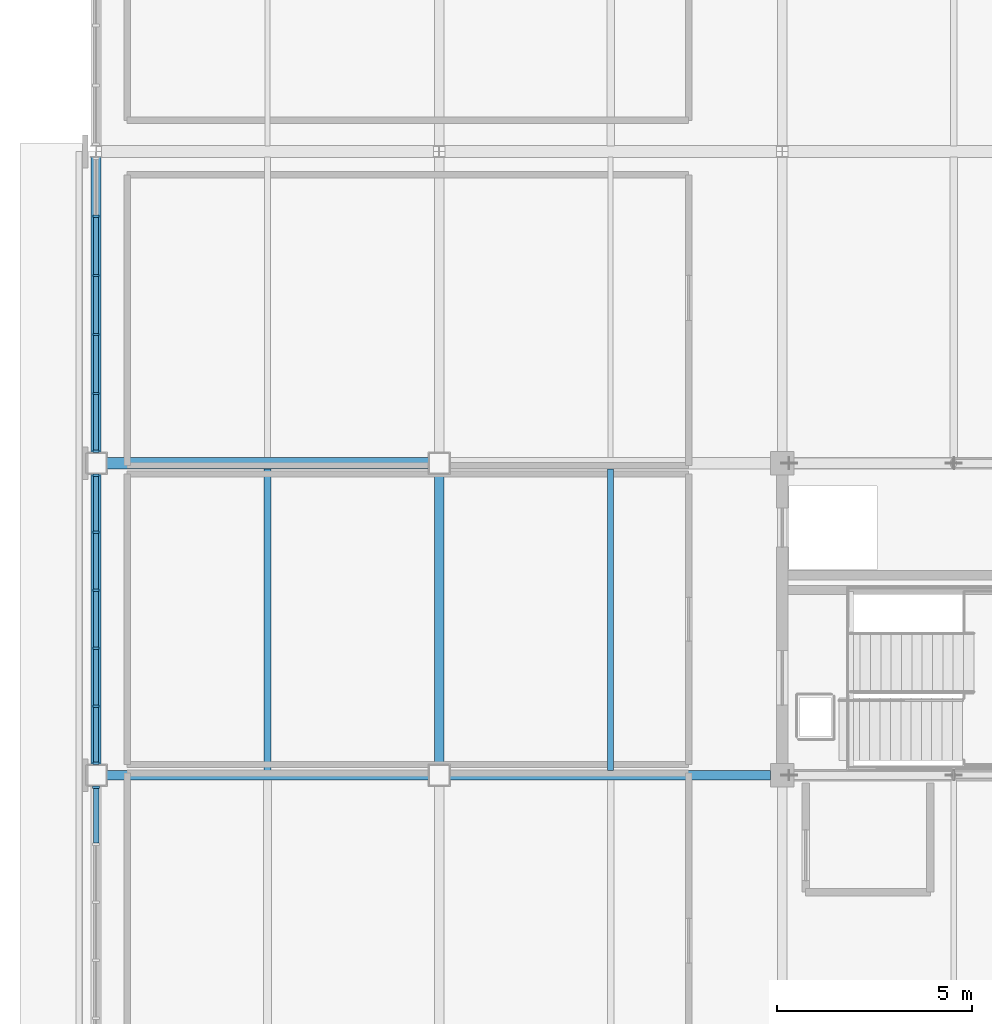
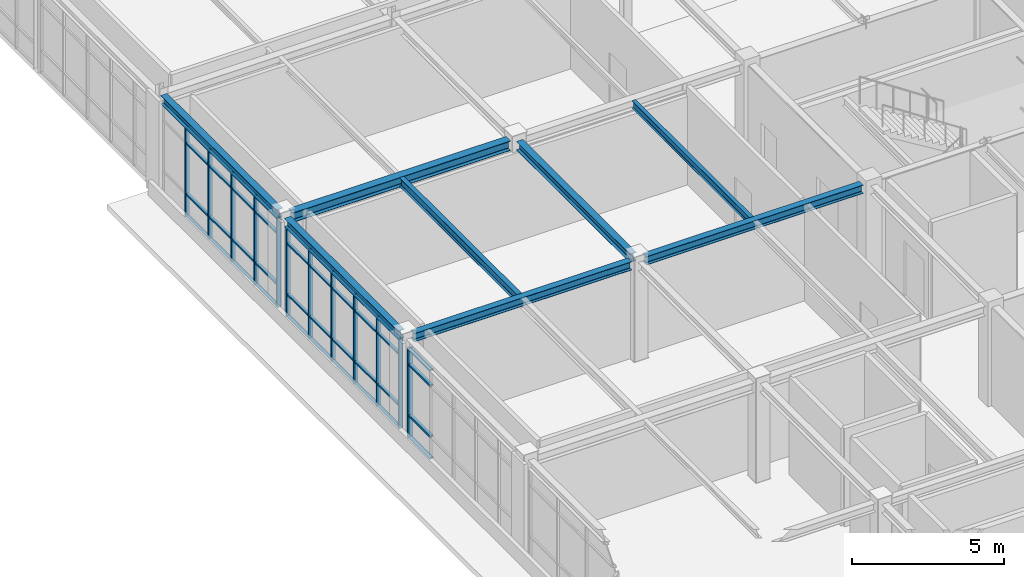
# One storey, part 14 of 64: 52 members, 8 beams, 3 elements without a shape of their own.
"""IFC4 building model written with IfcOpenShell, lengths in metres."""

from ifc_helpers import new_model, si_unit, direction, frame, origin, origin_2d, place, context, subcontext, project, spatial, rectangle, i_section, extrude, material, material_profile, profile_set, type_object, element, aggregate, save


model = new_model("IFC4")

# Units and contexts
model_context = context("Model", 3, precision=1e-05, world=origin(), true_north=direction((0.0, 1.0)))
body_context = subcontext(model_context, "Body", "Model", "MODEL_VIEW")
ifc_project = project(units=[si_unit("LENGTHUNIT", "METRE"), si_unit("AREAUNIT", "SQUARE_METRE"), si_unit("VOLUMEUNIT", "CUBIC_METRE"), si_unit("PLANEANGLEUNIT", "RADIAN"), si_unit("MASSUNIT", "GRAM", prefix="KILO")], contexts=[model_context])

# Site, building, storey
site_placement = place(None, origin())
site = spatial("IfcSite", under=ifc_project, at=site_placement, CompositionType="ELEMENT")
building_placement = place(site_placement, origin())
building = spatial("IfcBuilding", under=site, at=building_placement, Name="Zhaolan Boulevard Law Courts", CompositionType="ELEMENT")
storey_placement = place(building_placement, frame((0.0, 0.0, 20.39990234375)))
storey = spatial("IfcBuildingStorey", under=building, at=storey_placement, Name="L04", CompositionType="ELEMENT", Elevation=20.39990234375)

# Curtain wall, members
ifc_material_1 = material(Name="Thermally broken aluminium and low-E glazing", Category="aluminium")
curtain_wall_type_1 = type_object("IfcCurtainWallType", Name="CURTAIN WALL M2", PredefinedType="USERDEFINED", material=ifc_material_1)
curtain_wall_1_placement = place(storey_placement, origin())
curtain_wall_1 = element("IfcCurtainWall", 1, at=curtain_wall_1_placement, inside=storey, type_object=curtain_wall_type_1, Name="Curtain Wall CW-L04-194", ObjectType="CURTAIN WALL", PredefinedType="USERDEFINED")
ifc_material_2 = material(Name="Fluorocarbon-coated aluminium 6063-T6", Category="aluminium")
ifc_material_profile_1 = material_profile(ifc_material_2, rectangle(XDim=0.159912109375, YDim=0.06005859375, at=origin_2d()), Name="AL60x160")
ifc_profile_set_1 = profile_set([ifc_material_profile_1], Name="Fluorocarbon-coated aluminium 6063-T6")
member_type_1 = type_object("IfcMemberType", Name="CWMULLION 60X160", PredefinedType="MULLION", material=ifc_profile_set_1)
member_1_placement = place(storey_placement, frame((0.0, 69.693115234375, 0.0), z_axis=(0.0, 0.0, 1.0), x_axis=(1.0, 0.0, 0.0)))
member_1 = element("IfcMember", 2, at=member_1_placement, type_object=member_type_1, Name="CW-L04-194 mullion 1", PredefinedType="MULLION", context=body_context, shape_type="SweptSolid", body=[
    extrude(rectangle(XDim=0.159912109375, YDim=0.06005859375, at=origin_2d()), origin(), (0.0, 0.0, 1.0), 3.593017578125),
])
member_2_placement = place(storey_placement, frame((0.0, 68.23388671875, 0.0), z_axis=(0.0, 0.0, 1.0), x_axis=(1.0, 0.0, 0.0)))
member_2 = element("IfcMember", 3, at=member_2_placement, type_object=member_type_1, Name="CW-L04-194 mullion 2", PredefinedType="MULLION", context=body_context, shape_type="SweptSolid", body=[
    extrude(rectangle(XDim=0.159912109375, YDim=0.06005859375, at=origin_2d()), origin(), (0.0, 0.0, 1.0), 3.593017578125),
])
member_3_placement = place(storey_placement, frame((0.0, 66.74462890625, 0.0), z_axis=(0.0, 0.0, 1.0), x_axis=(1.0, 0.0, 0.0)))
member_3 = element("IfcMember", 4, at=member_3_placement, type_object=member_type_1, Name="CW-L04-194 mullion 3", PredefinedType="MULLION", context=body_context, shape_type="SweptSolid", body=[
    extrude(rectangle(XDim=0.159912109375, YDim=0.06005859375, at=origin_2d()), origin(), (0.0, 0.0, 1.0), 3.593017578125),
])
member_4_placement = place(storey_placement, frame((0.0, 65.25537109375, 0.0), z_axis=(0.0, 0.0, 1.0), x_axis=(1.0, 0.0, 0.0)))
member_4 = element("IfcMember", 5, at=member_4_placement, type_object=member_type_1, Name="CW-L04-194 mullion 4", PredefinedType="MULLION", context=body_context, shape_type="SweptSolid", body=[
    extrude(rectangle(XDim=0.159912109375, YDim=0.06005859375, at=origin_2d()), origin(), (0.0, 0.0, 1.0), 3.593017578125),
])
member_5_placement = place(storey_placement, frame((0.0, 63.76611328125, 0.0), z_axis=(0.0, 0.0, 1.0), x_axis=(1.0, 0.0, 0.0)))
member_5 = element("IfcMember", 6, at=member_5_placement, type_object=member_type_1, Name="CW-L04-194 mullion 5", PredefinedType="MULLION", context=body_context, shape_type="SweptSolid", body=[
    extrude(rectangle(XDim=0.159912109375, YDim=0.06005859375, at=origin_2d()), origin(), (0.0, 0.0, 1.0), 3.593017578125),
])
member_6_placement = place(storey_placement, frame((0.0, 62.306884765625, 0.0), z_axis=(0.0, 0.0, 1.0), x_axis=(1.0, 0.0, 0.0)))
member_6 = element("IfcMember", 7, at=member_6_placement, type_object=member_type_1, Name="CW-L04-194 mullion 6", PredefinedType="MULLION", context=body_context, shape_type="SweptSolid", body=[
    extrude(rectangle(XDim=0.159912109375, YDim=0.06005859375, at=origin_2d()), origin(), (0.0, 0.0, 1.0), 3.593017578125),
])

ifc_material_3 = material(Name="Thermally broken aluminium and low-E glazing", Category="aluminium")
curtain_wall_type_2 = type_object("IfcCurtainWallType", Name="CURTAIN WALL M3", PredefinedType="USERDEFINED", material=ifc_material_3)
curtain_wall_2_placement = place(storey_placement, origin())
curtain_wall_2 = element("IfcCurtainWall", 8, at=curtain_wall_2_placement, inside=storey, type_object=curtain_wall_type_2, Name="Curtain Wall CW-L04-195", ObjectType="CURTAIN WALL", PredefinedType="USERDEFINED")
member_7_placement = place(storey_placement, frame((0.0, 76.333740234375, 0.0), z_axis=(0.0, 0.0, 1.0), x_axis=(1.0, 0.0, 0.0)))
member_7 = element("IfcMember", 9, at=member_7_placement, type_object=member_type_1, Name="CW-L04-195 mullion 2", PredefinedType="MULLION", context=body_context, shape_type="SweptSolid", body=[
    extrude(rectangle(XDim=0.159912109375, YDim=0.06005859375, at=origin_2d()), origin(), (0.0, 0.0, 1.0), 3.593017578125),
])
member_8_placement = place(storey_placement, frame((0.0, 74.819580078125, 0.0), z_axis=(0.0, 0.0, 1.0), x_axis=(1.0, 0.0, 0.0)))
member_8 = element("IfcMember", 10, at=member_8_placement, type_object=member_type_1, Name="CW-L04-195 mullion 3", PredefinedType="MULLION", context=body_context, shape_type="SweptSolid", body=[
    extrude(rectangle(XDim=0.159912109375, YDim=0.06005859375, at=origin_2d()), origin(), (0.0, 0.0, 1.0), 3.593017578125),
])
member_9_placement = place(storey_placement, frame((0.0, 73.305419921875, 0.0), z_axis=(0.0, 0.0, 1.0), x_axis=(1.0, 0.0, 0.0)))
member_9 = element("IfcMember", 11, at=member_9_placement, type_object=member_type_1, Name="CW-L04-195 mullion 4", PredefinedType="MULLION", context=body_context, shape_type="SweptSolid", body=[
    extrude(rectangle(XDim=0.159912109375, YDim=0.06005859375, at=origin_2d()), origin(), (0.0, 0.0, 1.0), 3.593017578125),
])
member_10_placement = place(storey_placement, frame((0.0, 71.791259765625, 0.0), z_axis=(0.0, 0.0, 1.0), x_axis=(1.0, 0.0, 0.0)))
member_10 = element("IfcMember", 12, at=member_10_placement, type_object=member_type_1, Name="CW-L04-195 mullion 5", PredefinedType="MULLION", context=body_context, shape_type="SweptSolid", body=[
    extrude(rectangle(XDim=0.159912109375, YDim=0.06005859375, at=origin_2d()), origin(), (0.0, 0.0, 1.0), 3.593017578125),
])
member_11_placement = place(storey_placement, frame((0.0, 70.306884765625, 0.0), z_axis=(0.0, 0.0, 1.0), x_axis=(1.0, 0.0, 0.0)))
member_11 = element("IfcMember", 13, at=member_11_placement, type_object=member_type_1, Name="CW-L04-195 mullion 6", PredefinedType="MULLION", context=body_context, shape_type="SweptSolid", body=[
    extrude(rectangle(XDim=0.159912109375, YDim=0.06005859375, at=origin_2d()), origin(), (0.0, 0.0, 1.0), 3.593017578125),
])

# Curtain wall, member
ifc_material_4 = material(Name="Thermally broken aluminium and low-E glazing", Category="aluminium")
curtain_wall_type_3 = type_object("IfcCurtainWallType", Name="CURTAIN WALL M1", PredefinedType="USERDEFINED", material=ifc_material_4)
curtain_wall_3_placement = place(storey_placement, origin())
curtain_wall_3 = element("IfcCurtainWall", 14, at=curtain_wall_3_placement, inside=storey, type_object=curtain_wall_type_3, Name="Curtain Wall CW-L04-193", ObjectType="CURTAIN WALL", PredefinedType="USERDEFINED")
ifc_material_5 = material(Name="Fluorocarbon-coated aluminium 6063-T6", Category="aluminium")
ifc_material_profile_2 = material_profile(ifc_material_5, rectangle(XDim=0.179931640625, YDim=0.06494140625, at=origin_2d()), Name="AL65x180")
ifc_profile_set_2 = profile_set([ifc_material_profile_2], Name="Fluorocarbon-coated aluminium 6063-T6")
member_type_2 = type_object("IfcMemberType", Name="CWMULLION 65X180", PredefinedType="MULLION", material=ifc_profile_set_2)
member_12_placement = place(storey_placement, frame((0.0, 61.6904296875, 0.0), z_axis=(0.0, 0.0, 1.0), x_axis=(1.0, 0.0, 0.0)))
member_12 = element("IfcMember", 15, at=member_12_placement, type_object=member_type_2, Name="CW-L04-193 mullion 1", PredefinedType="MULLION", context=body_context, shape_type="SweptSolid", body=[
    extrude(rectangle(XDim=0.179931640625, YDim=0.06494140625, at=origin_2d()), origin(), (0.0, 0.0, 1.0), 3.593017578125),
])

# Member
ifc_material_6 = material(Name="Fluorocarbon-coated aluminium 6063-T6", Category="aluminium")
ifc_material_profile_3 = material_profile(ifc_material_6, rectangle(XDim=0.1201171875, YDim=0.06005859375, at=origin_2d()), Name="AL60x120")
ifc_profile_set_3 = profile_set([ifc_material_profile_3], Name="Fluorocarbon-coated aluminium 6063-T6")
member_type_3 = type_object("IfcMemberType", Name="CWTRANSOM 60X120", PredefinedType="USERDEFINED", material=ifc_profile_set_3)
member_13_placement = place(storey_placement, frame((0.0, 69.6630859375, 0.030029296875), z_axis=(0.0, -1.0, 0.0), x_axis=(1.0, 0.0, 0.0)))
member_13 = element("IfcMember", 16, at=member_13_placement, type_object=member_type_3, Name="CW-L04-194 transom 1.1", ObjectType="TRANSOM", PredefinedType="USERDEFINED", context=body_context, shape_type="SweptSolid", body=[
    extrude(rectangle(XDim=0.1201171875, YDim=0.06005859375, at=origin_2d()), origin(), (0.0, 0.0, 1.0), 1.399169921875),
])

member_14_placement = place(storey_placement, frame((0.0, 69.6630859375, 0.900146484375), z_axis=(0.0, -1.0, 0.0), x_axis=(1.0, 0.0, 0.0)))
member_14 = element("IfcMember", 17, at=member_14_placement, type_object=member_type_3, Name="CW-L04-194 transom 1.2", ObjectType="TRANSOM", PredefinedType="USERDEFINED", context=body_context, shape_type="SweptSolid", body=[
    extrude(rectangle(XDim=0.1201171875, YDim=0.06005859375, at=origin_2d()), origin(), (0.0, 0.0, 1.0), 1.399169921875),
])

member_15_placement = place(storey_placement, frame((0.0, 69.6630859375, 2.943115234375), z_axis=(0.0, -1.0, 0.0), x_axis=(1.0, 0.0, 0.0)))
member_15 = element("IfcMember", 18, at=member_15_placement, type_object=member_type_3, Name="CW-L04-194 transom 1.3", ObjectType="TRANSOM", PredefinedType="USERDEFINED", context=body_context, shape_type="SweptSolid", body=[
    extrude(rectangle(XDim=0.1201171875, YDim=0.06005859375, at=origin_2d()), origin(), (0.0, 0.0, 1.0), 1.399169921875),
])

member_16_placement = place(storey_placement, frame((0.0, 69.6630859375, 3.56298828125), z_axis=(0.0, -1.0, 0.0), x_axis=(1.0, 0.0, 0.0)))
member_16 = element("IfcMember", 19, at=member_16_placement, type_object=member_type_3, Name="CW-L04-194 transom 1.4", ObjectType="TRANSOM", PredefinedType="USERDEFINED", context=body_context, shape_type="SweptSolid", body=[
    extrude(rectangle(XDim=0.1201171875, YDim=0.06005859375, at=origin_2d()), origin(), (0.0, 0.0, 1.0), 1.399169921875),
])

member_17_placement = place(storey_placement, frame((0.0, 68.203857421875, 0.030029296875), z_axis=(0.0, -1.0, 0.0), x_axis=(1.0, 0.0, 0.0)))
member_17 = element("IfcMember", 20, at=member_17_placement, type_object=member_type_3, Name="CW-L04-194 transom 2.1", ObjectType="TRANSOM", PredefinedType="USERDEFINED", context=body_context, shape_type="SweptSolid", body=[
    extrude(rectangle(XDim=0.1201171875, YDim=0.06005859375, at=origin_2d()), origin(), (0.0, 0.0, 1.0), 1.42919921875),
])

member_18_placement = place(storey_placement, frame((0.0, 68.203857421875, 0.900146484375), z_axis=(0.0, -1.0, 0.0), x_axis=(1.0, 0.0, 0.0)))
member_18 = element("IfcMember", 21, at=member_18_placement, type_object=member_type_3, Name="CW-L04-194 transom 2.2", ObjectType="TRANSOM", PredefinedType="USERDEFINED", context=body_context, shape_type="SweptSolid", body=[
    extrude(rectangle(XDim=0.1201171875, YDim=0.06005859375, at=origin_2d()), origin(), (0.0, 0.0, 1.0), 1.42919921875),
])

member_19_placement = place(storey_placement, frame((0.0, 68.203857421875, 2.943115234375), z_axis=(0.0, -1.0, 0.0), x_axis=(1.0, 0.0, 0.0)))
member_19 = element("IfcMember", 22, at=member_19_placement, type_object=member_type_3, Name="CW-L04-194 transom 2.3", ObjectType="TRANSOM", PredefinedType="USERDEFINED", context=body_context, shape_type="SweptSolid", body=[
    extrude(rectangle(XDim=0.1201171875, YDim=0.06005859375, at=origin_2d()), origin(), (0.0, 0.0, 1.0), 1.42919921875),
])

member_20_placement = place(storey_placement, frame((0.0, 68.203857421875, 3.56298828125), z_axis=(0.0, -1.0, 0.0), x_axis=(1.0, 0.0, 0.0)))
member_20 = element("IfcMember", 23, at=member_20_placement, type_object=member_type_3, Name="CW-L04-194 transom 2.4", ObjectType="TRANSOM", PredefinedType="USERDEFINED", context=body_context, shape_type="SweptSolid", body=[
    extrude(rectangle(XDim=0.1201171875, YDim=0.06005859375, at=origin_2d()), origin(), (0.0, 0.0, 1.0), 1.42919921875),
])

member_21_placement = place(storey_placement, frame((0.0, 66.714599609375, 0.030029296875), z_axis=(0.0, -1.0, 0.0), x_axis=(1.0, 0.0, 0.0)))
member_21 = element("IfcMember", 24, at=member_21_placement, type_object=member_type_3, Name="CW-L04-194 transom 3.1", ObjectType="TRANSOM", PredefinedType="USERDEFINED", context=body_context, shape_type="SweptSolid", body=[
    extrude(rectangle(XDim=0.1201171875, YDim=0.06005859375, at=origin_2d()), origin(), (0.0, 0.0, 1.0), 1.42919921875),
])

member_22_placement = place(storey_placement, frame((0.0, 66.714599609375, 0.900146484375), z_axis=(0.0, -1.0, 0.0), x_axis=(1.0, 0.0, 0.0)))
member_22 = element("IfcMember", 25, at=member_22_placement, type_object=member_type_3, Name="CW-L04-194 transom 3.2", ObjectType="TRANSOM", PredefinedType="USERDEFINED", context=body_context, shape_type="SweptSolid", body=[
    extrude(rectangle(XDim=0.1201171875, YDim=0.06005859375, at=origin_2d()), origin(), (0.0, 0.0, 1.0), 1.42919921875),
])

member_23_placement = place(storey_placement, frame((0.0, 66.714599609375, 2.943115234375), z_axis=(0.0, -1.0, 0.0), x_axis=(1.0, 0.0, 0.0)))
member_23 = element("IfcMember", 26, at=member_23_placement, type_object=member_type_3, Name="CW-L04-194 transom 3.3", ObjectType="TRANSOM", PredefinedType="USERDEFINED", context=body_context, shape_type="SweptSolid", body=[
    extrude(rectangle(XDim=0.1201171875, YDim=0.06005859375, at=origin_2d()), origin(), (0.0, 0.0, 1.0), 1.42919921875),
])

member_24_placement = place(storey_placement, frame((0.0, 66.714599609375, 3.56298828125), z_axis=(0.0, -1.0, 0.0), x_axis=(1.0, 0.0, 0.0)))
member_24 = element("IfcMember", 27, at=member_24_placement, type_object=member_type_3, Name="CW-L04-194 transom 3.4", ObjectType="TRANSOM", PredefinedType="USERDEFINED", context=body_context, shape_type="SweptSolid", body=[
    extrude(rectangle(XDim=0.1201171875, YDim=0.06005859375, at=origin_2d()), origin(), (0.0, 0.0, 1.0), 1.42919921875),
])

member_25_placement = place(storey_placement, frame((0.0, 65.225341796875, 0.030029296875), z_axis=(0.0, -1.0, 0.0), x_axis=(1.0, 0.0, 0.0)))
member_25 = element("IfcMember", 28, at=member_25_placement, type_object=member_type_3, Name="CW-L04-194 transom 4.1", ObjectType="TRANSOM", PredefinedType="USERDEFINED", context=body_context, shape_type="SweptSolid", body=[
    extrude(rectangle(XDim=0.1201171875, YDim=0.06005859375, at=origin_2d()), origin(), (0.0, 0.0, 1.0), 1.42919921875),
])

member_26_placement = place(storey_placement, frame((0.0, 65.225341796875, 0.900146484375), z_axis=(0.0, -1.0, 0.0), x_axis=(1.0, 0.0, 0.0)))
member_26 = element("IfcMember", 29, at=member_26_placement, type_object=member_type_3, Name="CW-L04-194 transom 4.2", ObjectType="TRANSOM", PredefinedType="USERDEFINED", context=body_context, shape_type="SweptSolid", body=[
    extrude(rectangle(XDim=0.1201171875, YDim=0.06005859375, at=origin_2d()), origin(), (0.0, 0.0, 1.0), 1.42919921875),
])

member_27_placement = place(storey_placement, frame((0.0, 65.225341796875, 2.943115234375), z_axis=(0.0, -1.0, 0.0), x_axis=(1.0, 0.0, 0.0)))
member_27 = element("IfcMember", 30, at=member_27_placement, type_object=member_type_3, Name="CW-L04-194 transom 4.3", ObjectType="TRANSOM", PredefinedType="USERDEFINED", context=body_context, shape_type="SweptSolid", body=[
    extrude(rectangle(XDim=0.1201171875, YDim=0.06005859375, at=origin_2d()), origin(), (0.0, 0.0, 1.0), 1.42919921875),
])

member_28_placement = place(storey_placement, frame((0.0, 65.225341796875, 3.56298828125), z_axis=(0.0, -1.0, 0.0), x_axis=(1.0, 0.0, 0.0)))
member_28 = element("IfcMember", 31, at=member_28_placement, type_object=member_type_3, Name="CW-L04-194 transom 4.4", ObjectType="TRANSOM", PredefinedType="USERDEFINED", context=body_context, shape_type="SweptSolid", body=[
    extrude(rectangle(XDim=0.1201171875, YDim=0.06005859375, at=origin_2d()), origin(), (0.0, 0.0, 1.0), 1.42919921875),
])

member_29_placement = place(storey_placement, frame((0.0, 63.736083984375, 0.030029296875), z_axis=(0.0, -1.0, 0.0), x_axis=(1.0, 0.0, 0.0)))
member_29 = element("IfcMember", 32, at=member_29_placement, type_object=member_type_3, Name="CW-L04-194 transom 5.1", ObjectType="TRANSOM", PredefinedType="USERDEFINED", context=body_context, shape_type="SweptSolid", body=[
    extrude(rectangle(XDim=0.1201171875, YDim=0.06005859375, at=origin_2d()), origin(), (0.0, 0.0, 1.0), 1.399169921875),
])

member_30_placement = place(storey_placement, frame((0.0, 63.736083984375, 0.900146484375), z_axis=(0.0, -1.0, 0.0), x_axis=(1.0, 0.0, 0.0)))
member_30 = element("IfcMember", 33, at=member_30_placement, type_object=member_type_3, Name="CW-L04-194 transom 5.2", ObjectType="TRANSOM", PredefinedType="USERDEFINED", context=body_context, shape_type="SweptSolid", body=[
    extrude(rectangle(XDim=0.1201171875, YDim=0.06005859375, at=origin_2d()), origin(), (0.0, 0.0, 1.0), 1.399169921875),
])

member_31_placement = place(storey_placement, frame((0.0, 63.736083984375, 2.943115234375), z_axis=(0.0, -1.0, 0.0), x_axis=(1.0, 0.0, 0.0)))
member_31 = element("IfcMember", 34, at=member_31_placement, type_object=member_type_3, Name="CW-L04-194 transom 5.3", ObjectType="TRANSOM", PredefinedType="USERDEFINED", context=body_context, shape_type="SweptSolid", body=[
    extrude(rectangle(XDim=0.1201171875, YDim=0.06005859375, at=origin_2d()), origin(), (0.0, 0.0, 1.0), 1.399169921875),
])

member_32_placement = place(storey_placement, frame((0.0, 63.736083984375, 3.56298828125), z_axis=(0.0, -1.0, 0.0), x_axis=(1.0, 0.0, 0.0)))
member_32 = element("IfcMember", 35, at=member_32_placement, type_object=member_type_3, Name="CW-L04-194 transom 5.4", ObjectType="TRANSOM", PredefinedType="USERDEFINED", context=body_context, shape_type="SweptSolid", body=[
    extrude(rectangle(XDim=0.1201171875, YDim=0.06005859375, at=origin_2d()), origin(), (0.0, 0.0, 1.0), 1.399169921875),
])

aggregate(curtain_wall_1, [member_1, member_2, member_3, member_4, member_5, member_6, member_13, member_14, member_15, member_16, member_17, member_18, member_19, member_20, member_21, member_22, member_23, member_24, member_25, member_26, member_27, member_28, member_29, member_30, member_31, member_32])

member_33_placement = place(storey_placement, frame((0.0, 76.3037109375, 0.030029296875), z_axis=(0.0, -1.0, 0.0), x_axis=(1.0, 0.0, 0.0)))
member_33 = element("IfcMember", 36, at=member_33_placement, type_object=member_type_3, Name="CW-L04-195 transom 2.1", ObjectType="TRANSOM", PredefinedType="USERDEFINED", context=body_context, shape_type="SweptSolid", body=[
    extrude(rectangle(XDim=0.1201171875, YDim=0.06005859375, at=origin_2d()), origin(), (0.0, 0.0, 1.0), 1.4541015625),
])

member_34_placement = place(storey_placement, frame((0.0, 76.3037109375, 0.900146484375), z_axis=(0.0, -1.0, 0.0), x_axis=(1.0, 0.0, 0.0)))
member_34 = element("IfcMember", 37, at=member_34_placement, type_object=member_type_3, Name="CW-L04-195 transom 2.2", ObjectType="TRANSOM", PredefinedType="USERDEFINED", context=body_context, shape_type="SweptSolid", body=[
    extrude(rectangle(XDim=0.1201171875, YDim=0.06005859375, at=origin_2d()), origin(), (0.0, 0.0, 1.0), 1.4541015625),
])

member_35_placement = place(storey_placement, frame((0.0, 76.3037109375, 2.943115234375), z_axis=(0.0, -1.0, 0.0), x_axis=(1.0, 0.0, 0.0)))
member_35 = element("IfcMember", 38, at=member_35_placement, type_object=member_type_3, Name="CW-L04-195 transom 2.3", ObjectType="TRANSOM", PredefinedType="USERDEFINED", context=body_context, shape_type="SweptSolid", body=[
    extrude(rectangle(XDim=0.1201171875, YDim=0.06005859375, at=origin_2d()), origin(), (0.0, 0.0, 1.0), 1.4541015625),
])

member_36_placement = place(storey_placement, frame((0.0, 76.3037109375, 3.56298828125), z_axis=(0.0, -1.0, 0.0), x_axis=(1.0, 0.0, 0.0)))
member_36 = element("IfcMember", 39, at=member_36_placement, type_object=member_type_3, Name="CW-L04-195 transom 2.4", ObjectType="TRANSOM", PredefinedType="USERDEFINED", context=body_context, shape_type="SweptSolid", body=[
    extrude(rectangle(XDim=0.1201171875, YDim=0.06005859375, at=origin_2d()), origin(), (0.0, 0.0, 1.0), 1.4541015625),
])

member_37_placement = place(storey_placement, frame((0.0, 74.78955078125, 0.030029296875), z_axis=(0.0, -1.0, 0.0), x_axis=(1.0, 0.0, 0.0)))
member_37 = element("IfcMember", 40, at=member_37_placement, type_object=member_type_3, Name="CW-L04-195 transom 3.1", ObjectType="TRANSOM", PredefinedType="USERDEFINED", context=body_context, shape_type="SweptSolid", body=[
    extrude(rectangle(XDim=0.1201171875, YDim=0.06005859375, at=origin_2d()), origin(), (0.0, 0.0, 1.0), 1.4541015625),
])

member_38_placement = place(storey_placement, frame((0.0, 74.78955078125, 0.900146484375), z_axis=(0.0, -1.0, 0.0), x_axis=(1.0, 0.0, 0.0)))
member_38 = element("IfcMember", 41, at=member_38_placement, type_object=member_type_3, Name="CW-L04-195 transom 3.2", ObjectType="TRANSOM", PredefinedType="USERDEFINED", context=body_context, shape_type="SweptSolid", body=[
    extrude(rectangle(XDim=0.1201171875, YDim=0.06005859375, at=origin_2d()), origin(), (0.0, 0.0, 1.0), 1.4541015625),
])

member_39_placement = place(storey_placement, frame((0.0, 74.78955078125, 2.943115234375), z_axis=(0.0, -1.0, 0.0), x_axis=(1.0, 0.0, 0.0)))
member_39 = element("IfcMember", 42, at=member_39_placement, type_object=member_type_3, Name="CW-L04-195 transom 3.3", ObjectType="TRANSOM", PredefinedType="USERDEFINED", context=body_context, shape_type="SweptSolid", body=[
    extrude(rectangle(XDim=0.1201171875, YDim=0.06005859375, at=origin_2d()), origin(), (0.0, 0.0, 1.0), 1.4541015625),
])

member_40_placement = place(storey_placement, frame((0.0, 74.78955078125, 3.56298828125), z_axis=(0.0, -1.0, 0.0), x_axis=(1.0, 0.0, 0.0)))
member_40 = element("IfcMember", 43, at=member_40_placement, type_object=member_type_3, Name="CW-L04-195 transom 3.4", ObjectType="TRANSOM", PredefinedType="USERDEFINED", context=body_context, shape_type="SweptSolid", body=[
    extrude(rectangle(XDim=0.1201171875, YDim=0.06005859375, at=origin_2d()), origin(), (0.0, 0.0, 1.0), 1.4541015625),
])

member_41_placement = place(storey_placement, frame((0.0, 73.275390625, 0.030029296875), z_axis=(0.0, -1.0, 0.0), x_axis=(1.0, 0.0, 0.0)))
member_41 = element("IfcMember", 44, at=member_41_placement, type_object=member_type_3, Name="CW-L04-195 transom 4.1", ObjectType="TRANSOM", PredefinedType="USERDEFINED", context=body_context, shape_type="SweptSolid", body=[
    extrude(rectangle(XDim=0.1201171875, YDim=0.06005859375, at=origin_2d()), origin(), (0.0, 0.0, 1.0), 1.4541015625),
])

member_42_placement = place(storey_placement, frame((0.0, 73.275390625, 0.900146484375), z_axis=(0.0, -1.0, 0.0), x_axis=(1.0, 0.0, 0.0)))
member_42 = element("IfcMember", 45, at=member_42_placement, type_object=member_type_3, Name="CW-L04-195 transom 4.2", ObjectType="TRANSOM", PredefinedType="USERDEFINED", context=body_context, shape_type="SweptSolid", body=[
    extrude(rectangle(XDim=0.1201171875, YDim=0.06005859375, at=origin_2d()), origin(), (0.0, 0.0, 1.0), 1.4541015625),
])

member_43_placement = place(storey_placement, frame((0.0, 73.275390625, 2.943115234375), z_axis=(0.0, -1.0, 0.0), x_axis=(1.0, 0.0, 0.0)))
member_43 = element("IfcMember", 46, at=member_43_placement, type_object=member_type_3, Name="CW-L04-195 transom 4.3", ObjectType="TRANSOM", PredefinedType="USERDEFINED", context=body_context, shape_type="SweptSolid", body=[
    extrude(rectangle(XDim=0.1201171875, YDim=0.06005859375, at=origin_2d()), origin(), (0.0, 0.0, 1.0), 1.4541015625),
])

member_44_placement = place(storey_placement, frame((0.0, 73.275390625, 3.56298828125), z_axis=(0.0, -1.0, 0.0), x_axis=(1.0, 0.0, 0.0)))
member_44 = element("IfcMember", 47, at=member_44_placement, type_object=member_type_3, Name="CW-L04-195 transom 4.4", ObjectType="TRANSOM", PredefinedType="USERDEFINED", context=body_context, shape_type="SweptSolid", body=[
    extrude(rectangle(XDim=0.1201171875, YDim=0.06005859375, at=origin_2d()), origin(), (0.0, 0.0, 1.0), 1.4541015625),
])

member_45_placement = place(storey_placement, frame((0.0, 71.76123046875, 0.030029296875), z_axis=(0.0, -1.0, 0.0), x_axis=(1.0, 0.0, 0.0)))
member_45 = element("IfcMember", 48, at=member_45_placement, type_object=member_type_3, Name="CW-L04-195 transom 5.1", ObjectType="TRANSOM", PredefinedType="USERDEFINED", context=body_context, shape_type="SweptSolid", body=[
    extrude(rectangle(XDim=0.1201171875, YDim=0.06005859375, at=origin_2d()), origin(), (0.0, 0.0, 1.0), 1.42431640625),
])

member_46_placement = place(storey_placement, frame((0.0, 71.76123046875, 0.900146484375), z_axis=(0.0, -1.0, 0.0), x_axis=(1.0, 0.0, 0.0)))
member_46 = element("IfcMember", 49, at=member_46_placement, type_object=member_type_3, Name="CW-L04-195 transom 5.2", ObjectType="TRANSOM", PredefinedType="USERDEFINED", context=body_context, shape_type="SweptSolid", body=[
    extrude(rectangle(XDim=0.1201171875, YDim=0.06005859375, at=origin_2d()), origin(), (0.0, 0.0, 1.0), 1.42431640625),
])

member_47_placement = place(storey_placement, frame((0.0, 71.76123046875, 2.943115234375), z_axis=(0.0, -1.0, 0.0), x_axis=(1.0, 0.0, 0.0)))
member_47 = element("IfcMember", 50, at=member_47_placement, type_object=member_type_3, Name="CW-L04-195 transom 5.3", ObjectType="TRANSOM", PredefinedType="USERDEFINED", context=body_context, shape_type="SweptSolid", body=[
    extrude(rectangle(XDim=0.1201171875, YDim=0.06005859375, at=origin_2d()), origin(), (0.0, 0.0, 1.0), 1.42431640625),
])

member_48_placement = place(storey_placement, frame((0.0, 71.76123046875, 3.56298828125), z_axis=(0.0, -1.0, 0.0), x_axis=(1.0, 0.0, 0.0)))
member_48 = element("IfcMember", 51, at=member_48_placement, type_object=member_type_3, Name="CW-L04-195 transom 5.4", ObjectType="TRANSOM", PredefinedType="USERDEFINED", context=body_context, shape_type="SweptSolid", body=[
    extrude(rectangle(XDim=0.1201171875, YDim=0.06005859375, at=origin_2d()), origin(), (0.0, 0.0, 1.0), 1.42431640625),
])

aggregate(curtain_wall_2, [member_7, member_8, member_9, member_10, member_11, member_33, member_34, member_35, member_36, member_37, member_38, member_39, member_40, member_41, member_42, member_43, member_44, member_45, member_46, member_47, member_48])

ifc_material_7 = material(Name="Fluorocarbon-coated aluminium 6063-T6", Category="aluminium")
ifc_material_profile_4 = material_profile(ifc_material_7, rectangle(XDim=0.139892578125, YDim=0.06494140625, at=origin_2d()), Name="AL65x140")
ifc_profile_set_4 = profile_set([ifc_material_profile_4], Name="Fluorocarbon-coated aluminium 6063-T6")
member_type_4 = type_object("IfcMemberType", Name="CWTRANSOM 65X140", PredefinedType="USERDEFINED", material=ifc_profile_set_4)
member_49_placement = place(storey_placement, frame((0.0, 61.657958984375, 0.03271484375), z_axis=(0.0, -1.0, 0.0), x_axis=(1.0, 0.0, 0.0)))
member_49 = element("IfcMember", 52, at=member_49_placement, type_object=member_type_4, Name="CW-L04-193 transom 1.1", ObjectType="TRANSOM", PredefinedType="USERDEFINED", context=body_context, shape_type="SweptSolid", body=[
    extrude(rectangle(XDim=0.139892578125, YDim=0.06494140625, at=origin_2d()), origin(), (0.0, 0.0, 1.0), 1.3916015625),
])

member_50_placement = place(storey_placement, frame((0.0, 61.657958984375, 0.900146484375), z_axis=(0.0, -1.0, 0.0), x_axis=(1.0, 0.0, 0.0)))
member_50 = element("IfcMember", 53, at=member_50_placement, type_object=member_type_4, Name="CW-L04-193 transom 1.2", ObjectType="TRANSOM", PredefinedType="USERDEFINED", context=body_context, shape_type="SweptSolid", body=[
    extrude(rectangle(XDim=0.139892578125, YDim=0.06494140625, at=origin_2d()), origin(), (0.0, 0.0, 1.0), 1.3916015625),
])

member_51_placement = place(storey_placement, frame((0.0, 61.657958984375, 2.943115234375), z_axis=(0.0, -1.0, 0.0), x_axis=(1.0, 0.0, 0.0)))
member_51 = element("IfcMember", 54, at=member_51_placement, type_object=member_type_4, Name="CW-L04-193 transom 1.3", ObjectType="TRANSOM", PredefinedType="USERDEFINED", context=body_context, shape_type="SweptSolid", body=[
    extrude(rectangle(XDim=0.139892578125, YDim=0.06494140625, at=origin_2d()), origin(), (0.0, 0.0, 1.0), 1.3916015625),
])

member_52_placement = place(storey_placement, frame((0.0, 61.657958984375, 3.560546875), z_axis=(0.0, -1.0, 0.0), x_axis=(1.0, 0.0, 0.0)))
member_52 = element("IfcMember", 55, at=member_52_placement, type_object=member_type_4, Name="CW-L04-193 transom 1.4", ObjectType="TRANSOM", PredefinedType="USERDEFINED", context=body_context, shape_type="SweptSolid", body=[
    extrude(rectangle(XDim=0.139892578125, YDim=0.06494140625, at=origin_2d()), origin(), (0.0, 0.0, 1.0), 1.3916015625),
])

aggregate(curtain_wall_3, [member_12, member_49, member_50, member_51, member_52])

# Beams
ifc_material_8 = material(Name="Structural steel Q355B", Category="steel")
ifc_material_profile_5 = material_profile(ifc_material_8, i_section(OverallWidth=0.25, OverallDepth=0.340087890625, WebThickness=0.009033203125, FlangeThickness=0.013916015625, FilletRadius=0.01611328125, at=origin_2d()), Name="HM340x250")
ifc_profile_set_5 = profile_set([ifc_material_profile_5], Name="Structural steel Q355B")
beam_type_1 = type_object("IfcBeamType", Name="GIRDER HM340", PredefinedType="BEAM", material=ifc_profile_set_5)
beam_1_placement = place(storey_placement, frame((0.0, 62.27099609375, 3.778076171875), z_axis=(0.0, 1.0, 0.0), x_axis=(-1.0, 0.0, 0.0)))
element("IfcBeam", 56, at=beam_1_placement, inside=storey, type_object=beam_type_1, Name="Beam BY-L05-1-J-K", PredefinedType="BEAM", context=body_context, shape_type="SweptSolid", body=[
    extrude(i_section(OverallWidth=0.25, OverallDepth=0.340087890625, WebThickness=0.009033203125, FlangeThickness=0.013916015625, FilletRadius=0.01611328125, at=origin_2d()), origin(), (0.0, 0.0, 1.0), 7.4580078125),
])
beam_2_placement = place(storey_placement, frame((0.0, 70.27099609375, 3.778076171875), z_axis=(0.0, 1.0, 0.0), x_axis=(-1.0, 0.0, 0.0)))
element("IfcBeam", 57, at=beam_2_placement, inside=storey, type_object=beam_type_1, Name="Beam BY-L05-1-K-L", PredefinedType="BEAM", context=body_context, shape_type="SweptSolid", body=[
    extrude(i_section(OverallWidth=0.25, OverallDepth=0.340087890625, WebThickness=0.009033203125, FlangeThickness=0.013916015625, FilletRadius=0.01611328125, at=origin_2d()), origin(), (0.0, 0.0, 1.0), 7.5830078125),
])
beam_3_placement = place(storey_placement, frame((8.800048828125, 62.27099609375, 3.778076171875), z_axis=(0.0, 1.0, 0.0), x_axis=(-1.0, 0.0, 0.0)))
element("IfcBeam", 58, at=beam_3_placement, inside=storey, type_object=beam_type_1, Name="Beam BY-L05-2-J-K", PredefinedType="BEAM", context=body_context, shape_type="SweptSolid", body=[
    extrude(i_section(OverallWidth=0.25, OverallDepth=0.340087890625, WebThickness=0.009033203125, FlangeThickness=0.013916015625, FilletRadius=0.01611328125, at=origin_2d()), origin(), (0.0, 0.0, 1.0), 7.4580078125),
])
ifc_material_9 = material(Name="Structural steel Q355B", Category="steel")
ifc_material_profile_6 = material_profile(ifc_material_9, i_section(OverallWidth=0.300048828125, OverallDepth=0.389892578125, WebThickness=0.010009765625, FlangeThickness=0.01611328125, FilletRadius=0.01806640625, at=origin_2d()), Name="HM390x300")
ifc_profile_set_6 = profile_set([ifc_material_profile_6], Name="Structural steel Q355B")
beam_type_2 = type_object("IfcBeamType", Name="GIRDER HM390", PredefinedType="BEAM", material=ifc_profile_set_6)
beam_4_placement = place(storey_placement, frame((0.27099609375, 70.0, 3.753173828125), z_axis=(1.0, 0.0, 0.0), x_axis=(0.0, 1.0, 0.0)))
element("IfcBeam", 59, at=beam_4_placement, inside=storey, type_object=beam_type_2, Name="Beam BX-L05-1-2-K", PredefinedType="BEAM", context=body_context, shape_type="SweptSolid", body=[
    extrude(i_section(OverallWidth=0.300048828125, OverallDepth=0.389892578125, WebThickness=0.010009765625, FlangeThickness=0.01611328125, FilletRadius=0.01806640625, at=origin_2d()), origin(), (0.0, 0.0, 1.0), 8.258056640625),
])
ifc_material_10 = material(Name="Structural steel Q355B", Category="steel")
ifc_material_profile_7 = material_profile(ifc_material_10, i_section(OverallWidth=0.14990234375, OverallDepth=0.300048828125, WebThickness=0.006591796875, FlangeThickness=0.009033203125, FilletRadius=0.010986328125, at=origin_2d()), Name="HN300x150")
ifc_profile_set_7 = profile_set([ifc_material_profile_7], Name="Structural steel Q355B")
beam_type_3 = type_object("IfcBeamType", Name="JOIST HN300", PredefinedType="JOIST", material=ifc_profile_set_7)
beam_5_placement = place(storey_placement, frame((13.199951171875, 62.12109375, 3.798095703125), z_axis=(0.0, 1.0, 0.0), x_axis=(-1.0, 0.0, 0.0)))
element("IfcBeam", 60, at=beam_5_placement, inside=storey, type_object=beam_type_3, Name="Composite Joist J-L05-2J", PredefinedType="JOIST", context=body_context, shape_type="SweptSolid", body=[
    extrude(i_section(OverallWidth=0.14990234375, OverallDepth=0.300048828125, WebThickness=0.006591796875, FlangeThickness=0.009033203125, FilletRadius=0.010986328125, at=origin_2d()), origin(), (0.0, 0.0, 1.0), 7.73291015625),
])
ifc_material_11 = material(Name="Structural steel Q355B", Category="steel")
ifc_material_profile_8 = material_profile(ifc_material_11, i_section(OverallWidth=0.175048828125, OverallDepth=0.35009765625, WebThickness=0.007080078125, FlangeThickness=0.010986328125, FilletRadius=0.012939453125, at=origin_2d()), Name="HN350x175")
ifc_profile_set_8 = profile_set([ifc_material_profile_8], Name="Structural steel Q355B")
beam_type_4 = type_object("IfcBeamType", Name="JOIST HN350", PredefinedType="JOIST", material=ifc_profile_set_8)
beam_6_placement = place(storey_placement, frame((4.39990234375, 62.12109375, 3.773193359375), z_axis=(0.0, 1.0, 0.0), x_axis=(-1.0, 0.0, 0.0)))
element("IfcBeam", 61, at=beam_6_placement, inside=storey, type_object=beam_type_4, Name="Composite Joist J-L05-1J", PredefinedType="JOIST", context=body_context, shape_type="SweptSolid", body=[
    extrude(i_section(OverallWidth=0.175048828125, OverallDepth=0.35009765625, WebThickness=0.007080078125, FlangeThickness=0.010986328125, FilletRadius=0.012939453125, at=origin_2d()), origin(), (0.0, 0.0, 1.0), 7.73291015625),
])
ifc_material_12 = material(Name="Structural steel Q355B", Category="steel")
ifc_material_profile_9 = material_profile(ifc_material_12, i_section(OverallWidth=0.25, OverallDepth=0.340087890625, WebThickness=0.009033203125, FlangeThickness=0.013916015625, FilletRadius=0.01611328125, at=origin_2d()), Name="HM340x250")
ifc_profile_set_9 = profile_set([ifc_material_profile_9], Name="Structural steel Q355B")
beam_type_5 = type_object("IfcBeamType", Name="SPANDREL HM340", PredefinedType="SPANDREL", material=ifc_profile_set_9)
beam_7_placement = place(storey_placement, frame((0.27099609375, 62.0, 3.778076171875), z_axis=(1.0, 0.0, 0.0), x_axis=(0.0, 1.0, 0.0)))
element("IfcBeam", 62, at=beam_7_placement, inside=storey, type_object=beam_type_5, Name="Beam BX-L05-1-2-J", PredefinedType="SPANDREL", context=body_context, shape_type="SweptSolid", body=[
    extrude(i_section(OverallWidth=0.25, OverallDepth=0.340087890625, WebThickness=0.009033203125, FlangeThickness=0.013916015625, FilletRadius=0.01611328125, at=origin_2d()), origin(), (0.0, 0.0, 1.0), 8.258056640625),
])
beam_8_placement = place(storey_placement, frame((9.071044921875, 62.0, 3.778076171875), z_axis=(1.0, 0.0, 0.0), x_axis=(0.0, 1.0, 0.0)))
element("IfcBeam", 63, at=beam_8_placement, inside=storey, type_object=beam_type_5, Name="Beam BX-L05-2-3-J", PredefinedType="SPANDREL", context=body_context, shape_type="SweptSolid", body=[
    extrude(i_section(OverallWidth=0.25, OverallDepth=0.340087890625, WebThickness=0.009033203125, FlangeThickness=0.013916015625, FilletRadius=0.01611328125, at=origin_2d()), origin(), (0.0, 0.0, 1.0), 8.23291015625),
])

save(model, "model.ifc")
